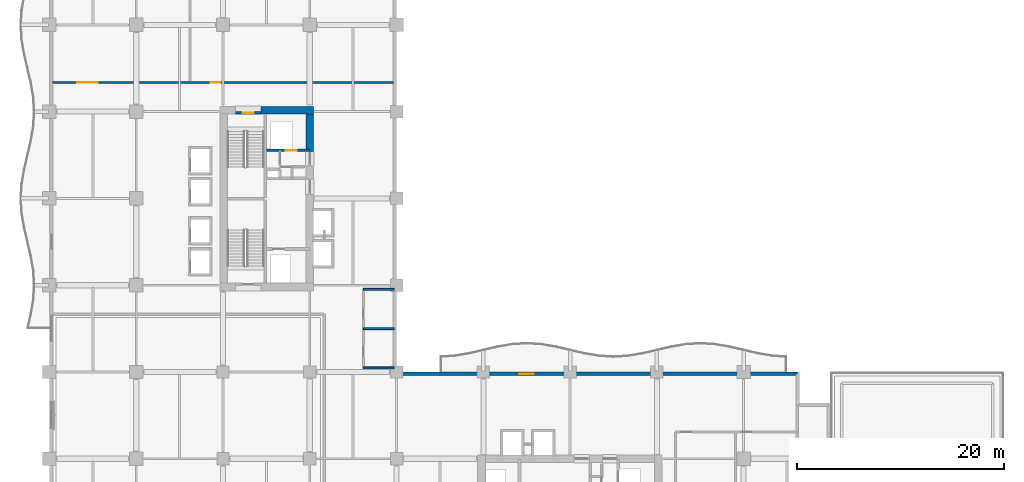
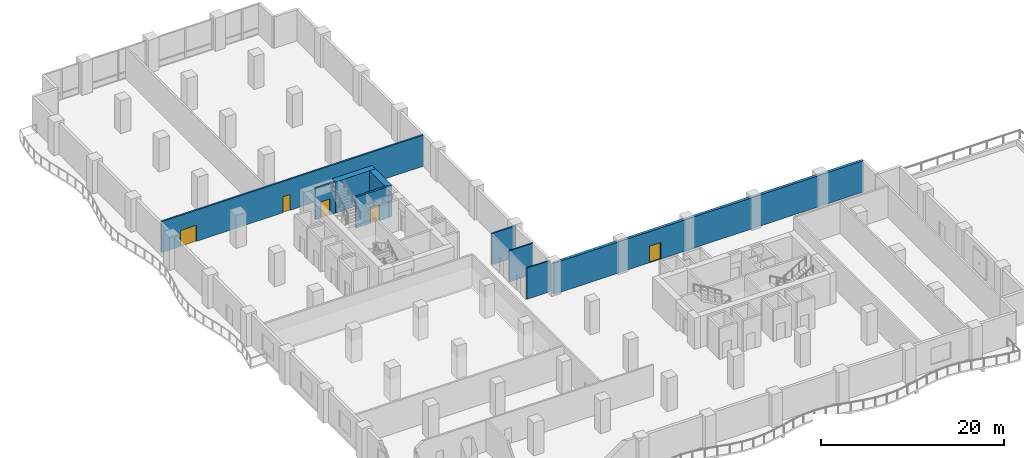
# One storey, part 11 of 21: 9 walls, 5 doors, 5 openings.
"""IFC4 building model written with IfcOpenShell, lengths in metres."""

from ifc_helpers import new_model, si_unit, direction, frame, frame_2d, origin, place, context, subcontext, project, spatial, rectangle, extrude, material, layer, layer_set, type_object, element, fill, save


model = new_model("IFC4")

# Units and contexts
model_context = context("Model", 3, precision=1e-05, world=origin(), true_north=direction((0.0, 1.0)))
body_context = subcontext(model_context, "Body", "Model", "MODEL_VIEW")
ifc_project = project(units=[si_unit("LENGTHUNIT", "METRE"), si_unit("AREAUNIT", "SQUARE_METRE"), si_unit("VOLUMEUNIT", "CUBIC_METRE"), si_unit("PLANEANGLEUNIT", "RADIAN"), si_unit("MASSUNIT", "GRAM", prefix="KILO")], contexts=[model_context])

# Site, building, storey
site_placement = place(None, origin())
site = spatial("IfcSite", under=ifc_project, at=site_placement, CompositionType="ELEMENT")
building_placement = place(site_placement, origin())
building = spatial("IfcBuilding", under=site, at=building_placement, Name="Koriwani Terraces Tower", CompositionType="ELEMENT")
storey_placement = place(building_placement, frame((0.0, 0.0, 85.199951171875)))
storey = spatial("IfcBuildingStorey", under=building, at=storey_placement, Name="L20", CompositionType="ELEMENT", Elevation=85.199951171875)

# Walls
ifc_material_1 = material(Name="Concrete C60/75", Category="concrete")
ifc_layer_1 = layer(ifc_material_1, 0.75, Name="Concrete C60/75")
ifc_layer_set_1 = layer_set([ifc_layer_1], Name="Concrete C60/75")
wall_type_1 = type_object("IfcWallType", Name="WALL_CORE_RC_750", PredefinedType="SHEAR", material=ifc_layer_set_1)
wall_1_placement = place(storey_placement, frame((20.5, 58.925048828125, 0.0), z_axis=(0.0, 0.0, 1.0), x_axis=(1.0, 0.0, 0.0)))
element("IfcWall", 1, at=wall_1_placement, inside=storey, type_object=wall_type_1, Name="L20 West Split Core Shear Wall N2", PredefinedType="SHEAR", context=body_context, shape_type="SweptSolid", body=[
    extrude(rectangle(XDim=5.074951171875, YDim=0.75, at=frame_2d((2.53759765625, 0.0))), origin(), (0.0, 0.0, 1.0), 4.150146484375),
])
wall_2_placement = place(storey_placement, frame((25.199951171875, 54.949951171875, 0.0), z_axis=(0.0, 0.0, 1.0), x_axis=(0.0, 1.0, 0.0)))
element("IfcWall", 2, at=wall_2_placement, inside=storey, type_object=wall_type_1, Name="L20 West Split Core Shear Wall E3", PredefinedType="SHEAR", context=body_context, shape_type="SweptSolid", body=[
    extrude(rectangle(XDim=3.60009765625, YDim=0.75, at=frame_2d((1.800048828125, 0.0))), origin(), (0.0, 0.0, 1.0), 4.150146484375),
])

# Wall, openings, doors
ifc_material_2 = material(Name="Autoclaved Cellular Concrete Blockwork", Category="masonry")
ifc_layer_2 = layer(ifc_material_2, 0.199951171875, Name="Autoclaved Cellular Concrete Blockwork")
ifc_layer_set_2 = layer_set([ifc_layer_2], Name="Autoclaved Cellular Concrete Blockwork")
wall_type_2 = type_object("IfcWallType", Name="WALL_CORRIDOR_200", PredefinedType="PARTITIONING", material=ifc_layer_set_2)
wall_3_placement = place(storey_placement, frame((0.300048828125, 61.60009765625, 0.0), z_axis=(0.0, 0.0, 1.0), x_axis=(1.0, 0.0, 0.0)))
wall_3 = element("IfcWall", 3, at=wall_3_placement, inside=storey, type_object=wall_type_2, Name="L20 Interior Wall WSKY-N1-L20", PredefinedType="PARTITIONING", context=body_context, shape_type="SweptSolid", body=[
    extrude(rectangle(XDim=33.0, YDim=0.199951171875, at=frame_2d((16.5, 0.0))), origin(), (0.0, 0.0, 1.0), 4.150146484375),
])
opening_1_placement = place(wall_3_placement, frame((2.39990234375, 0.0, 0.0)))
opening_1 = element("IfcOpeningElement", 4, at=opening_1_placement, cuts=wall_3, Name="Opening D-02", PredefinedType="OPENING", context=body_context, shape_type="SweptSolid", body=[
    extrude(rectangle(XDim=2.0, YDim=2.14990234375, at=frame_2d((1.0, 1.074951171875))), frame((0.0, 0.10986328125, 0.0), z_axis=(0.0, -1.0, 0.0), x_axis=(1.0, 0.0, 0.0)), (0.0, 0.0, 1.0), 0.219970703125),
])
opening_2_placement = place(wall_3_placement, frame((15.300048828125, 0.0, 0.0)))
opening_2 = element("IfcOpeningElement", 5, at=opening_2_placement, cuts=wall_3, Name="Opening D-06", PredefinedType="OPENING", context=body_context, shape_type="SweptSolid", body=[
    extrude(rectangle(XDim=0.919921875, YDim=2.10009765625, at=frame_2d((0.4599609375, 1.050048828125))), frame((0.0, 0.10986328125, 0.0), z_axis=(0.0, -1.0, 0.0), x_axis=(1.0, 0.0, 0.0)), (0.0, 0.0, 1.0), 0.219970703125),
])
ifc_material_3 = material(Name="Anodised Bronze Aluminium", Category="aluminium")
door_type_1 = type_object("IfcDoorType", Name="DOOR_ENTRANCE_DOUBLE_2000X2400", OperationType="NOTDEFINED", PredefinedType="DOOR", material=ifc_material_3)
door_1_placement = place(opening_1_placement, origin())
door_1 = element("IfcDoor", 6, at=door_1_placement, inside=storey, type_object=door_type_1, Name="L20 North Wellness Studio Door", OperationType="SINGLE_SWING_RIGHT", OverallHeight=2.14990234375, OverallWidth=2.0, PredefinedType="DOOR", context=body_context, shape_type="SweptSolid", body=[
    extrude(rectangle(XDim=2.0, YDim=2.14990234375, at=frame_2d((1.0, 1.074951171875))), frame((0.0, 0.02490234375, 0.0), z_axis=(0.0, -1.0, 0.0), x_axis=(1.0, 0.0, 0.0)), (0.0, 0.0, 1.0), 0.050048828125),
])
fill(opening_1, door_1)
ifc_material_4 = material(Name="Architectural Oak Fire Door", Category="wood")
door_type_2 = type_object("IfcDoorType", Name="DOOR_ROOM_INT_920X2100", OperationType="NOTDEFINED", PredefinedType="DOOR", material=ifc_material_4)
door_2_placement = place(opening_2_placement, origin())
door_2 = element("IfcDoor", 7, at=door_2_placement, inside=storey, type_object=door_type_2, Name="L20 North Observatory Salon Door", OperationType="SINGLE_SWING_LEFT", OverallHeight=2.10009765625, OverallWidth=0.919921875, PredefinedType="DOOR", context=body_context, shape_type="SweptSolid", body=[
    extrude(rectangle(XDim=0.919921875, YDim=2.10009765625, at=frame_2d((0.4599609375, 1.050048828125))), frame((0.0, 0.02490234375, 0.0), z_axis=(0.0, -1.0, 0.0), x_axis=(1.0, 0.0, 0.0)), (0.0, 0.0, 1.0), 0.050048828125),
])
fill(opening_2, door_2)

# Wall, opening, door
ifc_material_5 = material(Name="Concrete C50/60", Category="concrete")
ifc_layer_3 = layer(ifc_material_5, 0.35009765625, Name="Concrete C50/60")
ifc_layer_set_3 = layer_set([ifc_layer_3], Name="Concrete C50/60")
wall_type_3 = type_object("IfcWallType", Name="WALL_EXT_BRUTALIST_350", PredefinedType="STANDARD", material=ifc_layer_set_3)
wall_4_placement = place(storey_placement, frame((33.425048828125, 33.425048828125, 0.0), z_axis=(0.0, 0.0, 1.0), x_axis=(1.0, 0.0, 0.0)))
wall_4 = element("IfcWall", 8, at=wall_4_placement, inside=storey, type_object=wall_type_3, Name="L20 Fair-Faced Brutalist Exterior Wall (NE)", PredefinedType="STANDARD", context=body_context, shape_type="SweptSolid", body=[
    extrude(rectangle(XDim=39.0, YDim=0.35009765625, at=frame_2d((19.5, 0.0))), origin(), (0.0, 0.0, 1.0), 4.150146484375),
])
opening_3_placement = place(wall_4_placement, frame((12.074951171875, 0.0, 0.0)))
opening_3 = element("IfcOpeningElement", 9, at=opening_3_placement, cuts=wall_4, Name="Opening D-09", PredefinedType="OPENING", context=body_context, shape_type="SweptSolid", body=[
    extrude(rectangle(XDim=1.39990234375, YDim=2.199951171875, at=frame_2d((0.699951171875, 1.10009765625))), frame((0.0, 0.18505859375, 0.0), z_axis=(0.0, -1.0, 0.0), x_axis=(1.0, 0.0, 0.0)), (0.0, 0.0, 1.0), 0.3701171875),
])
door_type_3 = type_object("IfcDoorType", Name="DOOR_BALCONY_GLAZED_1400X2200", OperationType="NOTDEFINED", PredefinedType="DOOR", material=ifc_material_3)
door_3_placement = place(opening_3_placement, origin())
door_3 = element("IfcDoor", 10, at=door_3_placement, inside=storey, type_object=door_type_3, Name="L20 Inner Court Balcony Glazed Door", OperationType="SINGLE_SWING_LEFT", OverallHeight=2.199951171875, OverallWidth=1.39990234375, PredefinedType="DOOR", context=body_context, shape_type="SweptSolid", body=[
    extrude(rectangle(XDim=1.39990234375, YDim=2.199951171875, at=frame_2d((0.699951171875, 1.10009765625))), frame((0.0, 0.02490234375, 0.0), z_axis=(0.0, -1.0, 0.0), x_axis=(1.0, 0.0, 0.0)), (0.0, 0.0, 1.0), 0.050048828125),
])
fill(opening_3, door_3)

# Walls
ifc_material_6 = material(Name="Fire-Rated Acoustic Gypsum Partition", Category="masonry")
ifc_layer_4 = layer(ifc_material_6, 0.179931640625, Name="Fire-Rated Acoustic Gypsum Partition")
ifc_layer_set_4 = layer_set([ifc_layer_4], Name="Fire-Rated Acoustic Gypsum Partition")
wall_type_4 = type_object("IfcWallType", Name="WALL_PLUMBING_180", PredefinedType="PLUMBINGWALL", material=ifc_layer_set_4)
for number, where, z_axis, x_axis, name in (
    (11, (30.39990234375, 34.0, 0.0), (0.0, 0.0, 1.0), (1.0, 0.0, 0.0), "L20 Interior Wall WSKY-WCS-L20"),
    (12, (30.39990234375, 37.800048828125, 0.0), (0.0, 0.0, 1.0), (1.0, 0.0, 0.0), "L20 Interior Wall WSKY-WCM-L20"),
    (13, (30.39990234375, 41.60009765625, 0.0), (0.0, 0.0, 1.0), (1.0, 0.0, 0.0), "L20 Interior Wall WSKY-WCN-L20"),
):
    element("IfcWall", number, at=place(storey_placement, frame(where, z_axis=z_axis, x_axis=x_axis)), inside=storey, type_object=wall_type_4, Name=name, PredefinedType="PLUMBINGWALL", context=body_context, shape_type="SweptSolid", body=[
        extrude(rectangle(XDim=3.0, YDim=0.179931640625, at=frame_2d((1.5, 0.0))), origin(), (0.0, 0.0, 1.0), 4.150146484375),
    ])

# Wall, opening, door
ifc_material_7 = material(Name="Concrete C40/50", Category="concrete")
ifc_layer_5 = layer(ifc_material_7, 0.25, Name="Concrete C40/50")
ifc_layer_set_5 = layer_set([ifc_layer_5], Name="Concrete C40/50")
wall_type_5 = type_object("IfcWallType", Name="WALL_SHAFT_RATED_250", PredefinedType="SOLIDWALL", material=ifc_layer_set_5)
wall_5_placement = place(storey_placement, frame((18.0, 58.675048828125, 0.0), z_axis=(0.0, 0.0, 1.0), x_axis=(1.0, 0.0, 0.0)))
wall_5 = element("IfcWall", 14, at=wall_5_placement, inside=storey, type_object=wall_type_5, Name="L20 Interior Wall WIN-CW-L20-STN", PredefinedType="SOLIDWALL", context=body_context, shape_type="SweptSolid", body=[
    extrude(rectangle(XDim=2.5, YDim=0.25, at=frame_2d((1.25, 0.0))), origin(), (0.0, 0.0, 1.0), 4.150146484375),
])
opening_4_placement = place(wall_5_placement, frame((0.699951171875, 0.0, 0.0)))
opening_4 = element("IfcOpeningElement", 15, at=opening_4_placement, cuts=wall_5, Name="Opening D-03", PredefinedType="OPENING", context=body_context, shape_type="SweptSolid", body=[
    extrude(rectangle(XDim=1.10009765625, YDim=2.14990234375, at=frame_2d((0.550048828125, 1.074951171875))), frame((0.0, 0.135009765625, 0.0), z_axis=(0.0, -1.0, 0.0), x_axis=(1.0, 0.0, 0.0)), (0.0, 0.0, 1.0), 0.27001953125),
])
ifc_material_8 = material(Name="Steel ASTM A572 Grade 50", Category="steel")
door_type_4 = type_object("IfcDoorType", Name="DOOR_STAIR_FIRE_1100X2150", OperationType="NOTDEFINED", PredefinedType="DOOR", material=ifc_material_8)
door_4_placement = place(opening_4_placement, origin())
door_4 = element("IfcDoor", 16, at=door_4_placement, inside=storey, type_object=door_type_4, Name="L20 Exit Stair ST-W2 Door", OperationType="SINGLE_SWING_LEFT", OverallHeight=2.14990234375, OverallWidth=1.10009765625, PredefinedType="DOOR", context=body_context, shape_type="SweptSolid", body=[
    extrude(rectangle(XDim=1.10009765625, YDim=2.14990234375, at=frame_2d((0.550048828125, 1.074951171875))), frame((0.0, 0.02490234375, 0.0), z_axis=(0.0, -1.0, 0.0), x_axis=(1.0, 0.0, 0.0)), (0.0, 0.0, 1.0), 0.050048828125),
])
fill(opening_4, door_4)

wall_6_placement = place(storey_placement, frame((21.0, 55.050048828125, 0.0), z_axis=(0.0, 0.0, 1.0), x_axis=(1.0, 0.0, 0.0)))
wall_6 = element("IfcWall", 17, at=wall_6_placement, inside=storey, type_object=wall_type_5, Name="L20 Interior Wall WIN-CW-L20-SE", PredefinedType="SOLIDWALL", context=body_context, shape_type="SweptSolid", body=[
    extrude(rectangle(XDim=4.14990234375, YDim=0.25, at=frame_2d((2.074951171875, 0.0))), origin(), (0.0, 0.0, 1.0), 4.150146484375),
])
opening_5_placement = place(wall_6_placement, frame((1.85009765625, 0.0, 0.0)))
opening_5 = element("IfcOpeningElement", 18, at=opening_5_placement, cuts=wall_6, Name="Opening LD-01", PredefinedType="OPENING", context=body_context, shape_type="SweptSolid", body=[
    extrude(rectangle(XDim=1.10009765625, YDim=2.14990234375, at=frame_2d((0.550048828125, 1.074951171875))), frame((0.0, 0.135009765625, 0.0), z_axis=(0.0, -1.0, 0.0), x_axis=(1.0, 0.0, 0.0)), (0.0, 0.0, 1.0), 0.27001953125),
])
door_type_5 = type_object("IfcDoorType", Name="DOOR_LIFT_LANDING_1100X2200", OperationType="NOTDEFINED", PredefinedType="DOOR", material=ifc_material_8)
door_5_placement = place(opening_5_placement, origin())
door_5 = element("IfcDoor", 19, at=door_5_placement, inside=storey, type_object=door_type_5, Name="L20 Goods Lift SE-01 Landing Door", OperationType="SLIDING_TO_LEFT", OverallHeight=2.14990234375, OverallWidth=1.10009765625, PredefinedType="DOOR", context=body_context, shape_type="SweptSolid", body=[
    extrude(rectangle(XDim=1.10009765625, YDim=2.14990234375, at=frame_2d((0.550048828125, 1.074951171875))), frame((0.0, 0.02490234375, 0.0), z_axis=(0.0, -1.0, 0.0), x_axis=(1.0, 0.0, 0.0)), (0.0, 0.0, 1.0), 0.050048828125),
])
fill(opening_5, door_5)

save(model, "model.ifc")
